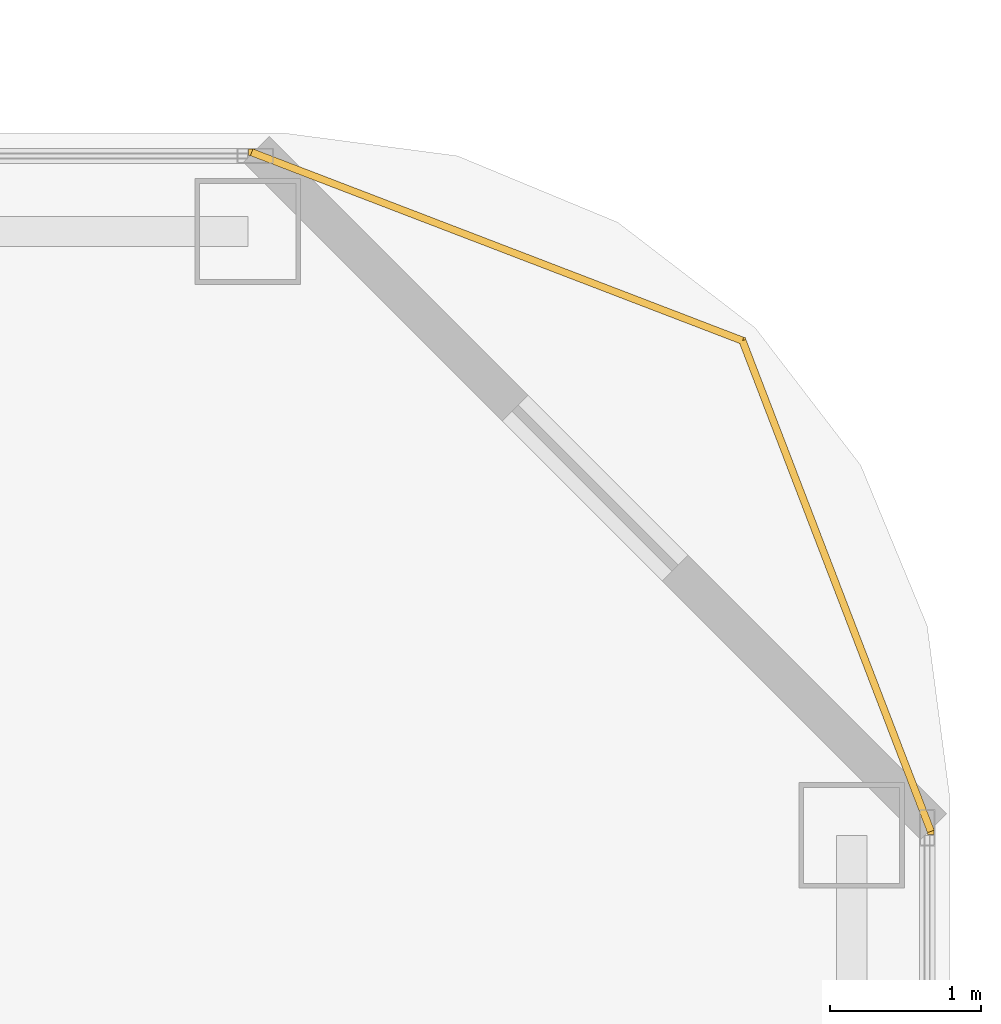
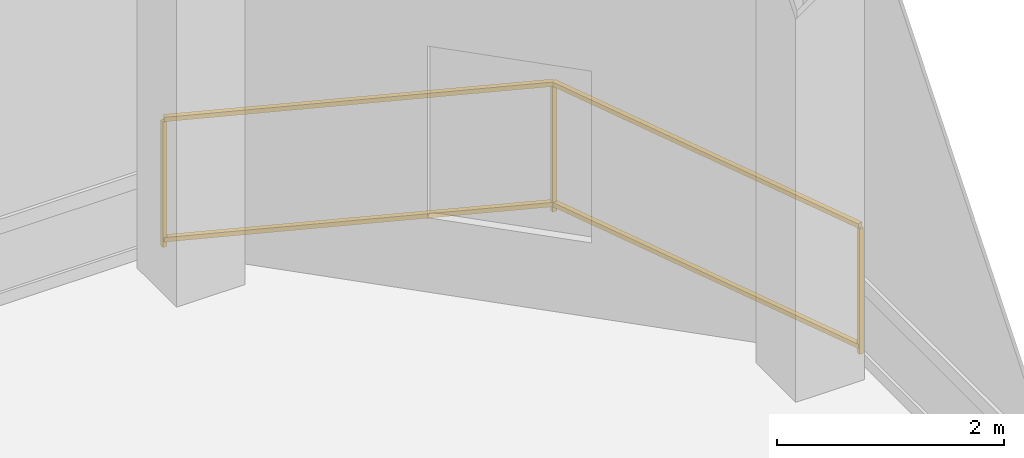
# One storey, part 28 of 28: 1 railing.
"""IFC4 building model written with IfcOpenShell, lengths in metres."""

from ifc_helpers import new_model, si_unit, direction, frame, origin, origin_2d, place, context, subcontext, project, spatial, rectangle, extrude, material, type_object, element, save


model = new_model("IFC4")

# Units and contexts
model_context = context("Model", 3, precision=1e-05, world=origin(), true_north=direction((0.0, 1.0)))
body_context = subcontext(model_context, "Body", "Model", "MODEL_VIEW")
ifc_project = project(units=[si_unit("LENGTHUNIT", "METRE"), si_unit("AREAUNIT", "SQUARE_METRE"), si_unit("VOLUMEUNIT", "CUBIC_METRE"), si_unit("PLANEANGLEUNIT", "RADIAN"), si_unit("MASSUNIT", "GRAM", prefix="KILO")], contexts=[model_context])

# Site, building, storey
site_placement = place(None, origin())
site = spatial("IfcSite", under=ifc_project, at=site_placement, CompositionType="ELEMENT")
building_placement = place(site_placement, origin())
building = spatial("IfcBuilding", under=site, at=building_placement, Name="Khorvyn Point Tower", CompositionType="ELEMENT")
storey_placement = place(building_placement, frame((0.0, 0.0, 108.60009765625)))
storey = spatial("IfcBuildingStorey", under=building, at=storey_placement, Name="L27", CompositionType="ELEMENT", Elevation=108.60009765625)

# Railing
ifc_material = material(Name="Anodised aluminium 6063-T6 and laminated safety glass", Category="aluminium")
railing_type = type_object("IfcRailingType", Name="Laminated Glass and Aluminium Balcony Guardrail 1400", PredefinedType="BALUSTRADE", material=ifc_material)
railing_placement = place(storey_placement, frame((27.57421875, 24.97607421875, 0.0)))
element("IfcRailing", 1, at=railing_placement, inside=storey, type_object=railing_type, Name="L27 Rounded Corner Edge Guardrail NE", PredefinedType="BALUSTRADE", context=body_context, shape_type="SweptSolid", body=[
    extrude(rectangle(XDim=0.048095703125, YDim=0.048095703125, at=origin_2d()), frame((0.0, 0.0, 1.3759765625), z_axis=(-0.35840572668, 0.933565924337, 0.0), x_axis=(-0.933565924337, -0.35840572668, 0.0)), (0.0, 0.0, 1.0), 3.4814453125),
    extrude(rectangle(XDim=0.048095703125, YDim=0.048095703125, at=origin_2d()), frame((0.0, 0.0, 0.080078125), z_axis=(-0.35840572668, 0.933565924337, 0.0), x_axis=(-0.933565924337, -0.35840572668, 0.0)), (0.0, 0.0, 1.0), 3.4814453125),
    extrude(rectangle(XDim=0.048095703125, YDim=0.048095703125, at=origin_2d()), frame((-1.247802734375, 3.250244140625, 1.3759765625), z_axis=(-0.933574931257, 0.358382264808, 0.0), x_axis=(-0.358382264808, -0.933574931257, 0.0)), (0.0, 0.0, 1.0), 3.481689453125),
    extrude(rectangle(XDim=0.048095703125, YDim=0.048095703125, at=origin_2d()), frame((-1.247802734375, 3.250244140625, 0.080078125), z_axis=(-0.933574931257, 0.358382264808, 0.0), x_axis=(-0.358382264808, -0.933574931257, 0.0)), (0.0, 0.0, 1.0), 3.481689453125),
    extrude(rectangle(XDim=0.0419921875, YDim=0.0419921875, at=origin_2d()), origin(), (0.0, 0.0, 1.0), 1.351806640625),
    extrude(rectangle(XDim=0.0419921875, YDim=0.0419921875, at=origin_2d()), frame((-1.247802734375, 3.250244140625, 0.0)), (0.0, 0.0, 1.0), 1.351806640625),
    extrude(rectangle(XDim=0.0419921875, YDim=0.0419921875, at=origin_2d()), frame((-4.498291015625, 4.498046875, 0.0)), (0.0, 0.0, 1.0), 1.351806640625),
])

save(model, "model.ifc")
